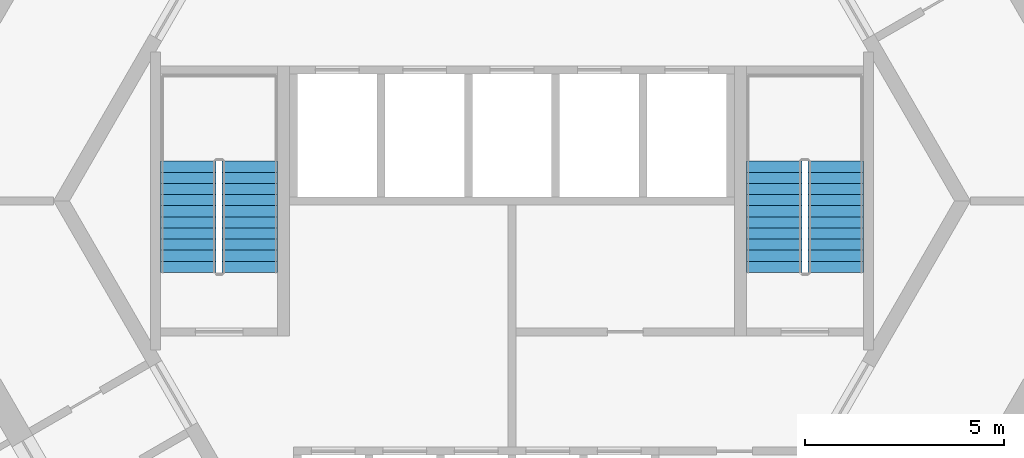
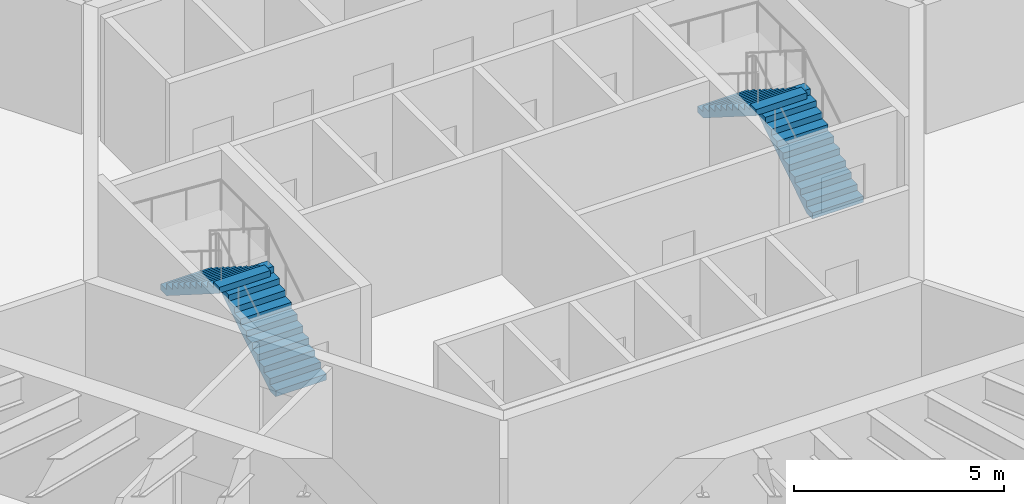
# One storey, part 11 of 13: 4 stair flights, 2 elements without a shape of their own.
"""IFC4 building model written with IfcOpenShell, lengths in metres."""

from ifc_helpers import new_model, si_unit, direction, frame, origin, place, context, subcontext, project, spatial, polyline, outline, extrude, material, type_object, element, aggregate, save


model = new_model("IFC4")

# Units and contexts
model_context = context("Model", 3, precision=1e-05, world=origin(), true_north=direction((0.0, 1.0)))
body_context = subcontext(model_context, "Body", "Model", "MODEL_VIEW")
ifc_project = project(units=[si_unit("LENGTHUNIT", "METRE"), si_unit("AREAUNIT", "SQUARE_METRE"), si_unit("VOLUMEUNIT", "CUBIC_METRE"), si_unit("PLANEANGLEUNIT", "RADIAN"), si_unit("MASSUNIT", "GRAM", prefix="KILO")], contexts=[model_context])

# Site, building, storey
site_placement = place(None, origin())
site = spatial("IfcSite", under=ifc_project, at=site_placement, CompositionType="ELEMENT")
building_placement = place(site_placement, origin())
building = spatial("IfcBuilding", under=site, at=building_placement, Name="Tarnside Tower", CompositionType="ELEMENT")
storey_placement = place(building_placement, frame((0.0, 0.0, 92.10009765625)))
storey = spatial("IfcBuildingStorey", under=building, at=storey_placement, Name="L20", CompositionType="ELEMENT", Elevation=92.10009765625)

# Stair, stair flights
ifc_material = material(Name="Concrete C40/50", Category="concrete")
stair_type = type_object("IfcStairType", Name="Exit stair 1400 clear", PredefinedType="HALF_TURN_STAIR", material=ifc_material)
stair_1_placement = place(storey_placement, origin())
stair_1 = element("IfcStair", 1, at=stair_1_placement, inside=storey, type_object=stair_type, Name="L20 Exit stair 1", PredefinedType="HALF_TURN_STAIR")
stair_flight_type = type_object("IfcStairFlightType", Name="Exit stair flight 1400", PredefinedType="STRAIGHT", material=ifc_material)
stair_flight_1_placement = place(storey_placement, frame((8.14990234375, -1.800048828125, 0.0), z_axis=(0.0, 0.0, 1.0), x_axis=(0.0, 1.0, 0.0)))
stair_flight_1 = element("IfcStairFlight", 2, at=stair_flight_1_placement, type_object=stair_flight_type, Name="ST1 flight 1", NumberOfRisers=11, NumberOfTreads=10, PredefinedType="STRAIGHT", RiserHeight=0.177272727, TreadLength=0.28, context=body_context, shape_type="SweptSolid", body=[
    extrude(outline(polyline([(0.0, 0.0), (0.0, 0.17724609375), (0.280029296875, 0.17724609375), (0.280029296875, 0.3544921875), (0.56005859375, 0.3544921875), (0.56005859375, 0.53173828125), (0.840087890625, 0.53173828125), (0.840087890625, 0.708984375), (1.1201171875, 0.708984375), (1.1201171875, 0.886474609375), (1.39990234375, 0.886474609375), (1.39990234375, 1.063720703125), (1.679931640625, 1.063720703125), (1.679931640625, 1.240966796875), (1.9599609375, 1.240966796875), (1.9599609375, 1.418212890625), (2.239990234375, 1.418212890625), (2.239990234375, 1.595458984375), (2.52001953125, 1.595458984375), (2.52001953125, 1.772705078125), (2.800048828125, 1.772705078125), (2.800048828125, 1.949951171875), (2.800048828125, 1.59521484375), (0.2802734375, 0.0), (0.0, 0.0)])), frame((0.0, 0.699951171875, 0.0), z_axis=(0.0, -1.0, 0.0), x_axis=(1.0, 0.0, 0.0)), (0.0, 0.0, 1.0), 1.39990234375),
])
stair_flight_2_placement = place(storey_placement, frame((6.60009765625, 1.0, 1.949951171875), z_axis=(0.0, 0.0, 1.0), x_axis=(0.0, -1.0, 0.0)))
stair_flight_2 = element("IfcStairFlight", 3, at=stair_flight_2_placement, type_object=stair_flight_type, Name="ST1 flight 2", NumberOfRisers=11, NumberOfTreads=10, PredefinedType="STRAIGHT", RiserHeight=0.177272727, TreadLength=0.28, context=body_context, shape_type="SweptSolid", body=[
    extrude(outline(polyline([(0.0, 0.0), (0.0, 0.17724609375), (0.280029296875, 0.17724609375), (0.280029296875, 0.3544921875), (0.56005859375, 0.3544921875), (0.56005859375, 0.53173828125), (0.840087890625, 0.53173828125), (0.840087890625, 0.708984375), (1.1201171875, 0.708984375), (1.1201171875, 0.886474609375), (1.39990234375, 0.886474609375), (1.39990234375, 1.063720703125), (1.679931640625, 1.063720703125), (1.679931640625, 1.240966796875), (1.9599609375, 1.240966796875), (1.9599609375, 1.418212890625), (2.239990234375, 1.418212890625), (2.239990234375, 1.595458984375), (2.52001953125, 1.595458984375), (2.52001953125, 1.772705078125), (2.800048828125, 1.772705078125), (2.800048828125, 1.949951171875), (2.800048828125, 1.59521484375), (0.2802734375, 0.0), (0.0, 0.0)])), frame((0.0, 0.699951171875, 0.0), z_axis=(0.0, -1.0, 0.0), x_axis=(1.0, 0.0, 0.0)), (0.0, 0.0, 1.0), 1.39990234375),
])
aggregate(stair_1, [stair_flight_1, stair_flight_2])

stair_2_placement = place(storey_placement, origin())
stair_2 = element("IfcStair", 4, at=stair_2_placement, inside=storey, type_object=stair_type, Name="L20 Exit stair 2", PredefinedType="HALF_TURN_STAIR")
stair_flight_3_placement = place(storey_placement, frame((-6.60009765625, -1.800048828125, 0.0), z_axis=(0.0, 0.0, 1.0), x_axis=(0.0, 1.0, 0.0)))
stair_flight_3 = element("IfcStairFlight", 5, at=stair_flight_3_placement, type_object=stair_flight_type, Name="ST2 flight 1", NumberOfRisers=11, NumberOfTreads=10, PredefinedType="STRAIGHT", RiserHeight=0.177272727, TreadLength=0.28, context=body_context, shape_type="SweptSolid", body=[
    extrude(outline(polyline([(0.0, 0.0), (0.0, 0.17724609375), (0.280029296875, 0.17724609375), (0.280029296875, 0.3544921875), (0.56005859375, 0.3544921875), (0.56005859375, 0.53173828125), (0.840087890625, 0.53173828125), (0.840087890625, 0.708984375), (1.1201171875, 0.708984375), (1.1201171875, 0.886474609375), (1.39990234375, 0.886474609375), (1.39990234375, 1.063720703125), (1.679931640625, 1.063720703125), (1.679931640625, 1.240966796875), (1.9599609375, 1.240966796875), (1.9599609375, 1.418212890625), (2.239990234375, 1.418212890625), (2.239990234375, 1.595458984375), (2.52001953125, 1.595458984375), (2.52001953125, 1.772705078125), (2.800048828125, 1.772705078125), (2.800048828125, 1.949951171875), (2.800048828125, 1.59521484375), (0.2802734375, 0.0), (0.0, 0.0)])), frame((0.0, 0.699951171875, 0.0), z_axis=(0.0, -1.0, 0.0), x_axis=(1.0, 0.0, 0.0)), (0.0, 0.0, 1.0), 1.39990234375),
])
stair_flight_4_placement = place(storey_placement, frame((-8.14990234375, 1.0, 1.949951171875), z_axis=(0.0, 0.0, 1.0), x_axis=(0.0, -1.0, 0.0)))
stair_flight_4 = element("IfcStairFlight", 6, at=stair_flight_4_placement, type_object=stair_flight_type, Name="ST2 flight 2", NumberOfRisers=11, NumberOfTreads=10, PredefinedType="STRAIGHT", RiserHeight=0.177272727, TreadLength=0.28, context=body_context, shape_type="SweptSolid", body=[
    extrude(outline(polyline([(0.0, 0.0), (0.0, 0.17724609375), (0.280029296875, 0.17724609375), (0.280029296875, 0.3544921875), (0.56005859375, 0.3544921875), (0.56005859375, 0.53173828125), (0.840087890625, 0.53173828125), (0.840087890625, 0.708984375), (1.1201171875, 0.708984375), (1.1201171875, 0.886474609375), (1.39990234375, 0.886474609375), (1.39990234375, 1.063720703125), (1.679931640625, 1.063720703125), (1.679931640625, 1.240966796875), (1.9599609375, 1.240966796875), (1.9599609375, 1.418212890625), (2.239990234375, 1.418212890625), (2.239990234375, 1.595458984375), (2.52001953125, 1.595458984375), (2.52001953125, 1.772705078125), (2.800048828125, 1.772705078125), (2.800048828125, 1.949951171875), (2.800048828125, 1.59521484375), (0.2802734375, 0.0), (0.0, 0.0)])), frame((0.0, 0.699951171875, 0.0), z_axis=(0.0, -1.0, 0.0), x_axis=(1.0, 0.0, 0.0)), (0.0, 0.0, 1.0), 1.39990234375),
])
aggregate(stair_2, [stair_flight_3, stair_flight_4])

save(model, "model.ifc")
